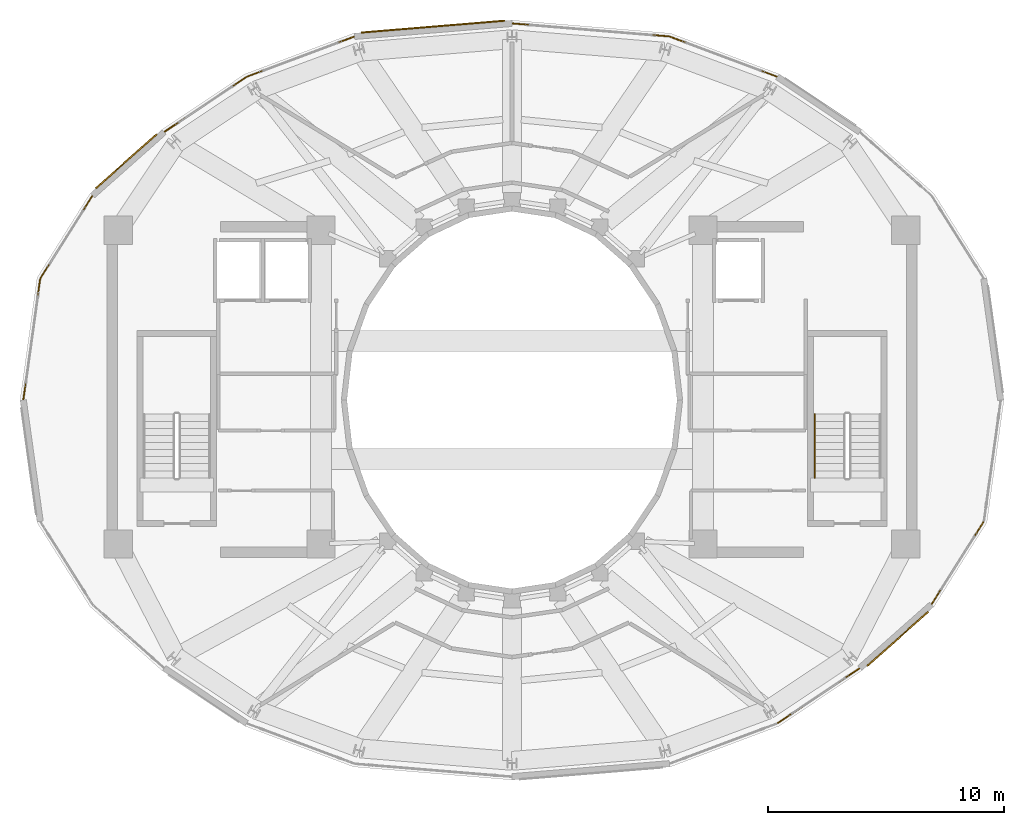
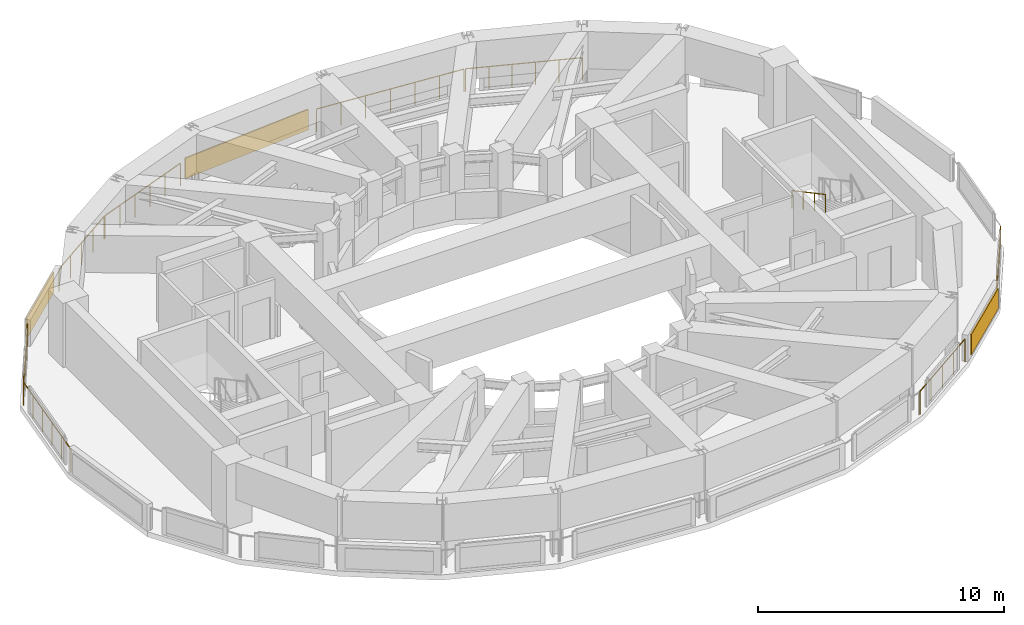
# One storey, part 17 of 18: 9 railings, 3 shading devices.
"""IFC4 building model written with IfcOpenShell, lengths in metres."""

from ifc_helpers import new_model, si_unit, direction, frame, origin, origin_2d, place, context, subcontext, project, spatial, rectangle, circle, extrude, material, layer, layer_set, type_object, element, save


model = new_model("IFC4")

# Units and contexts
model_context = context("Model", 3, precision=1e-05, world=origin(), true_north=direction((0.0, 1.0)))
body_context = subcontext(model_context, "Body", "Model", "MODEL_VIEW")
ifc_project = project(units=[si_unit("LENGTHUNIT", "METRE"), si_unit("AREAUNIT", "SQUARE_METRE"), si_unit("VOLUMEUNIT", "CUBIC_METRE"), si_unit("PLANEANGLEUNIT", "RADIAN"), si_unit("MASSUNIT", "GRAM", prefix="KILO")], contexts=[model_context])

# Site, building, storey
site_placement = place(None, origin())
site = spatial("IfcSite", under=ifc_project, at=site_placement, CompositionType="ELEMENT")
building_placement = place(site_placement, origin())
building = spatial("IfcBuilding", under=site, at=building_placement, Name="Solvane Sanctuary Tower", CompositionType="ELEMENT")
storey_placement = place(building_placement, frame((0.0, 0.0, 263.60009765625)))
storey = spatial("IfcBuildingStorey", under=building, at=storey_placement, Name="L80", CompositionType="ELEMENT", Elevation=263.60009765625)

# Railings
ifc_material_1 = material(Name="Architectural Stainless Steel 316", Category="steel")
railing_type_1 = type_object("IfcRailingType", Name="Railing GR-BALC-1150", PredefinedType="BALUSTRADE", material=ifc_material_1)
railing_1_placement = place(storey_placement, frame((43.222900390625, 36.715576171875, 0.0)))
element("IfcRailing", 1, at=railing_1_placement, inside=storey, type_object=railing_type_1, Name="L80 Crown Curtain-Wall Sill Guard 04", PredefinedType="BALUSTRADE", context=body_context, shape_type="SweptSolid", body=[
    extrude(circle(Radius=0.02392578125, at=origin_2d()), frame((0.0, 0.0, 1.1259765625), z_axis=(-0.936566011604, 0.350491235137, 0.0), x_axis=(-0.350491235137, -0.936566011604, 0.0)), (0.0, 0.0, 1.0), 4.8251953125),
    extrude(circle(Radius=0.02099609375, at=origin_2d()), origin(), (0.0, 0.0, 1.0), 1.101806640625),
    extrude(circle(Radius=0.02099609375, at=origin_2d()), frame((-0.90380859375, 0.338134765625, 0.0)), (0.0, 0.0, 1.0), 1.101806640625),
    extrude(circle(Radius=0.02099609375, at=origin_2d()), frame((-1.8076171875, 0.676513671875, 0.0)), (0.0, 0.0, 1.0), 1.101806640625),
    extrude(circle(Radius=0.02099609375, at=origin_2d()), frame((-2.71142578125, 1.0146484375, 0.0)), (0.0, 0.0, 1.0), 1.101806640625),
    extrude(circle(Radius=0.02099609375, at=origin_2d()), frame((-3.615234375, 1.35302734375, 0.0)), (0.0, 0.0, 1.0), 1.101806640625),
    extrude(circle(Radius=0.02099609375, at=origin_2d()), frame((-4.51904296875, 1.691162109375, 0.0)), (0.0, 0.0, 1.0), 1.101806640625),
])
railing_2_placement = place(storey_placement, frame((38.645751953125, 38.419921875, 0.0)))
element("IfcRailing", 2, at=railing_2_placement, inside=storey, type_object=railing_type_1, Name="L80 Crown Curtain-Wall Sill Guard 05", PredefinedType="BALUSTRADE", context=body_context, shape_type="SweptSolid", body=[
    extrude(circle(Radius=0.02392578125, at=origin_2d()), frame((0.0, 0.0, 1.1259765625), z_axis=(-0.996604098874, 0.082342395564, 0.0), x_axis=(-0.082342395564, -0.996604098874, 0.0)), (0.0, 0.0, 1.0), 6.638427734375),
    extrude(circle(Radius=0.02099609375, at=origin_2d()), origin(), (0.0, 0.0, 1.0), 1.101806640625),
    extrude(circle(Radius=0.02099609375, at=origin_2d()), frame((-1.1025390625, 0.091064453125, 0.0)), (0.0, 0.0, 1.0), 1.101806640625),
    extrude(circle(Radius=0.02099609375, at=origin_2d()), frame((-2.205322265625, 0.18212890625, 0.0)), (0.0, 0.0, 1.0), 1.101806640625),
    extrude(circle(Radius=0.02099609375, at=origin_2d()), frame((-3.30810546875, 0.2734375, 0.0)), (0.0, 0.0, 1.0), 1.101806640625),
    extrude(circle(Radius=0.02099609375, at=origin_2d()), frame((-4.41064453125, 0.364501953125, 0.0)), (0.0, 0.0, 1.0), 1.101806640625),
    extrude(circle(Radius=0.02099609375, at=origin_2d()), frame((-5.51318359375, 0.45556640625, 0.0)), (0.0, 0.0, 1.0), 1.101806640625),
    extrude(circle(Radius=0.02099609375, at=origin_2d()), frame((-6.615966796875, 0.546630859375, 0.0)), (0.0, 0.0, 1.0), 1.101806640625),
])
railing_3_placement = place(storey_placement, frame((25.296142578125, 38.40673828125, 0.0)))
element("IfcRailing", 3, at=railing_3_placement, inside=storey, type_object=railing_type_1, Name="L80 Crown Curtain-Wall Sill Guard 07", PredefinedType="BALUSTRADE", context=body_context, shape_type="SweptSolid", body=[
    extrude(circle(Radius=0.02392578125, at=origin_2d()), frame((0.0, 0.0, 1.1259765625), z_axis=(-0.936566011604, -0.350491235137, 0.0), x_axis=(0.350491235137, -0.936566011604, 0.0)), (0.0, 0.0, 1.0), 4.8251953125),
    extrude(circle(Radius=0.02099609375, at=origin_2d()), origin(), (0.0, 0.0, 1.0), 1.101806640625),
    extrude(circle(Radius=0.02099609375, at=origin_2d()), frame((-0.90380859375, -0.338134765625, 0.0)), (0.0, 0.0, 1.0), 1.101806640625),
    extrude(circle(Radius=0.02099609375, at=origin_2d()), frame((-1.8076171875, -0.676513671875, 0.0)), (0.0, 0.0, 1.0), 1.101806640625),
    extrude(circle(Radius=0.02099609375, at=origin_2d()), frame((-2.71142578125, -1.0146484375, 0.0)), (0.0, 0.0, 1.0), 1.101806640625),
    extrude(circle(Radius=0.02099609375, at=origin_2d()), frame((-3.615234375, -1.35302734375, 0.0)), (0.0, 0.0, 1.0), 1.101806640625),
    extrude(circle(Radius=0.02099609375, at=origin_2d()), frame((-4.51904296875, -1.691162109375, 0.0)), (0.0, 0.0, 1.0), 1.101806640625),
])
railing_4_placement = place(storey_placement, frame((20.72412109375, 36.688232421875, 0.0)))
element("IfcRailing", 4, at=railing_4_placement, inside=storey, type_object=railing_type_1, Name="L80 Crown Curtain-Wall Sill Guard 08", PredefinedType="BALUSTRADE", context=body_context, shape_type="SweptSolid", body=[
    extrude(circle(Radius=0.02392578125, at=origin_2d()), frame((0.0, 0.0, 1.1259765625), z_axis=(-0.831007061731, -0.556261865809, 0.0), x_axis=(0.556261865809, -0.831007061731, 0.0)), (0.0, 0.0, 1.0), 4.146240234375),
    extrude(circle(Radius=0.02099609375, at=origin_2d()), origin(), (0.0, 0.0, 1.0), 1.101806640625),
    extrude(circle(Radius=0.02099609375, at=origin_2d()), frame((-0.861328125, -0.57666015625, 0.0)), (0.0, 0.0, 1.0), 1.101806640625),
    extrude(circle(Radius=0.02099609375, at=origin_2d()), frame((-1.72265625, -1.1533203125, 0.0)), (0.0, 0.0, 1.0), 1.101806640625),
    extrude(circle(Radius=0.02099609375, at=origin_2d()), frame((-2.584228515625, -1.729736328125, 0.0)), (0.0, 0.0, 1.0), 1.101806640625),
    extrude(circle(Radius=0.02099609375, at=origin_2d()), frame((-3.445556640625, -2.306396484375, 0.0)), (0.0, 0.0, 1.0), 1.101806640625),
])
railing_5_placement = place(storey_placement, frame((14.201416015625, 31.64599609375, 0.0)))
element("IfcRailing", 5, at=railing_5_placement, inside=storey, type_object=railing_type_1, Name="L80 Crown Curtain-Wall Sill Guard 10", PredefinedType="BALUSTRADE", context=body_context, shape_type="SweptSolid", body=[
    extrude(circle(Radius=0.02392578125, at=origin_2d()), frame((0.0, 0.0, 1.1259765625), z_axis=(-0.533008723796, -0.846109744866, 0.0), x_axis=(0.846109744866, -0.533008723796, 0.0)), (0.0, 0.0, 1.0), 4.107666015625),
    extrude(circle(Radius=0.02099609375, at=origin_2d()), origin(), (0.0, 0.0, 1.0), 1.101806640625),
    extrude(circle(Radius=0.02099609375, at=origin_2d()), frame((-0.54736328125, -0.868896484375, 0.0)), (0.0, 0.0, 1.0), 1.101806640625),
    extrude(circle(Radius=0.02099609375, at=origin_2d()), frame((-1.0947265625, -1.73779296875, 0.0)), (0.0, 0.0, 1.0), 1.101806640625),
    extrude(circle(Radius=0.02099609375, at=origin_2d()), frame((-1.64208984375, -2.606689453125, 0.0)), (0.0, 0.0, 1.0), 1.101806640625),
    extrude(circle(Radius=0.02099609375, at=origin_2d()), frame((-2.189453125, -3.4755859375, 0.0)), (0.0, 0.0, 1.0), 1.101806640625),
])
railing_6_placement = place(storey_placement, frame((11.99169921875, 28.115234375, 0.0)))
element("IfcRailing", 6, at=railing_6_placement, inside=storey, type_object=railing_type_1, Name="L80 Crown Curtain-Wall Sill Guard 11", PredefinedType="BALUSTRADE", context=body_context, shape_type="SweptSolid", body=[
    extrude(circle(Radius=0.02392578125, at=origin_2d()), frame((0.0, 0.0, 1.1259765625), z_axis=(-0.137799024975, -0.990460210567, 0.0), x_axis=(0.990460210567, -0.137799024975, 0.0)), (0.0, 0.0, 1.0), 5.134521484375),
    extrude(circle(Radius=0.02099609375, at=origin_2d()), origin(), (0.0, 0.0, 1.0), 1.101806640625),
    extrude(circle(Radius=0.02099609375, at=origin_2d()), frame((-0.1416015625, -1.01708984375, 0.0)), (0.0, 0.0, 1.0), 1.101806640625),
    extrude(circle(Radius=0.02099609375, at=origin_2d()), frame((-0.282958984375, -2.0341796875, 0.0)), (0.0, 0.0, 1.0), 1.101806640625),
    extrude(circle(Radius=0.02099609375, at=origin_2d()), frame((-0.424560546875, -3.05126953125, 0.0)), (0.0, 0.0, 1.0), 1.101806640625),
    extrude(circle(Radius=0.02099609375, at=origin_2d()), frame((-0.56591796875, -4.068359375, 0.0)), (0.0, 0.0, 1.0), 1.101806640625),
    extrude(circle(Radius=0.02099609375, at=origin_2d()), frame((-0.70751953125, -5.08544921875, 0.0)), (0.0, 0.0, 1.0), 1.101806640625),
])
railing_7_placement = place(storey_placement, frame((43.27587890625, 9.311767578125, 0.0)))
element("IfcRailing", 7, at=railing_7_placement, inside=storey, type_object=railing_type_1, Name="L80 Crown Curtain-Wall Sill Guard 20", PredefinedType="BALUSTRADE", context=body_context, shape_type="SweptSolid", body=[
    extrude(circle(Radius=0.02392578125, at=origin_2d()), frame((0.0, 0.0, 1.1259765625), z_axis=(0.831007061731, 0.556261865809, 0.0), x_axis=(-0.556261865809, 0.831007061731, 0.0)), (0.0, 0.0, 1.0), 4.146240234375),
    extrude(circle(Radius=0.02099609375, at=origin_2d()), origin(), (0.0, 0.0, 1.0), 1.101806640625),
    extrude(circle(Radius=0.02099609375, at=origin_2d()), frame((0.861328125, 0.57666015625, 0.0)), (0.0, 0.0, 1.0), 1.101806640625),
    extrude(circle(Radius=0.02099609375, at=origin_2d()), frame((1.72265625, 1.1533203125, 0.0)), (0.0, 0.0, 1.0), 1.101806640625),
    extrude(circle(Radius=0.02099609375, at=origin_2d()), frame((2.584228515625, 1.729736328125, 0.0)), (0.0, 0.0, 1.0), 1.101806640625),
    extrude(circle(Radius=0.02099609375, at=origin_2d()), frame((3.445556640625, 2.306396484375, 0.0)), (0.0, 0.0, 1.0), 1.101806640625),
])
railing_8_placement = place(storey_placement, frame((49.798583984375, 14.35400390625, 0.0)))
element("IfcRailing", 8, at=railing_8_placement, inside=storey, type_object=railing_type_1, Name="L80 Crown Curtain-Wall Sill Guard 22", PredefinedType="BALUSTRADE", context=body_context, shape_type="SweptSolid", body=[
    extrude(circle(Radius=0.02392578125, at=origin_2d()), frame((0.0, 0.0, 1.1259765625), z_axis=(0.533008723796, 0.846109744866, 0.0), x_axis=(-0.846109744866, 0.533008723796, 0.0)), (0.0, 0.0, 1.0), 4.107666015625),
    extrude(circle(Radius=0.02099609375, at=origin_2d()), origin(), (0.0, 0.0, 1.0), 1.101806640625),
    extrude(circle(Radius=0.02099609375, at=origin_2d()), frame((0.54736328125, 0.868896484375, 0.0)), (0.0, 0.0, 1.0), 1.101806640625),
    extrude(circle(Radius=0.02099609375, at=origin_2d()), frame((1.0947265625, 1.73779296875, 0.0)), (0.0, 0.0, 1.0), 1.101806640625),
    extrude(circle(Radius=0.02099609375, at=origin_2d()), frame((1.64208984375, 2.606689453125, 0.0)), (0.0, 0.0, 1.0), 1.101806640625),
    extrude(circle(Radius=0.02099609375, at=origin_2d()), frame((2.189453125, 3.4755859375, 0.0)), (0.0, 0.0, 1.0), 1.101806640625),
])
railing_type_2 = type_object("IfcRailingType", Name="Railing HR-STAIR-920", PredefinedType="HANDRAIL", material=ifc_material_1)
railing_9_placement = place(storey_placement, frame((44.830078125, 22.39990234375, 1.760009765625)))
element("IfcRailing", 9, at=railing_9_placement, inside=storey, type_object=railing_type_2, Name="L80 ST-2 stair handrail 2", PredefinedType="HANDRAIL", context=body_context, shape_type="SweptSolid", body=[
    extrude(circle(Radius=0.02392578125, at=origin_2d()), frame((0.0, 0.0, 0.8759765625), z_axis=(0.0, -0.882357358376, 0.470579952952), x_axis=(1.0, 0.0, 0.0)), (0.0, 0.0, 1.0), 3.059814453125),
    extrude(circle(Radius=0.02099609375, at=origin_2d()), origin(), (0.0, 0.0, 1.0), 0.851806640625),
    extrude(circle(Radius=0.02099609375, at=origin_2d()), frame((0.0, -0.89990234375, 0.47998046875)), (0.0, 0.0, 1.0), 0.851806640625),
    extrude(circle(Radius=0.02099609375, at=origin_2d()), frame((0.0, -1.800048828125, 0.9599609375)), (0.0, 0.0, 1.0), 0.851806640625),
    extrude(circle(Radius=0.02099609375, at=origin_2d()), frame((0.0, -2.699951171875, 1.43994140625)), (0.0, 0.0, 1.0), 0.851806640625),
])

# Shading devices
ifc_material_2 = material(Name="Anodised Aluminium 6063-T6", Category="aluminium")
ifc_layer = layer(ifc_material_2, 0.06005859375, Name="Anodised Aluminium 6063-T6")
ifc_layer_set = layer_set([ifc_layer], Name="Anodised Aluminium 6063-T6")
shading_device_type = type_object("IfcShadingDeviceType", Name="Shading SHD-LOUVRE", PredefinedType="JALOUSIE", material=ifc_layer_set)
shading_device_placement = place(storey_placement, frame((28.650634765625, 38.832763671875, 0.14990234375), z_axis=(0.0, 0.0, 1.0), x_axis=(-0.996602402085, -0.082362929521, 0.0)))
element("IfcShadingDevice", 10, at=shading_device_placement, inside=storey, type_object=shading_device_type, Name="L80 Crown Storm Louvre Panel 06", PredefinedType="JALOUSIE", context=body_context, shape_type="SweptSolid", body=[
    extrude(rectangle(XDim=6.098388671875, YDim=0.06005859375, at=origin_2d()), origin(), (0.0, 0.0, 1.0), 1.02001953125),
])
for number, where, z_axis, x_axis, name in (
    (11, (15.642578125, 33.122802734375, 0.14990234375), (0.0, 0.0, 1.0), (-0.748014740626, -0.663682113519, 0.0), "L80 Crown Storm Louvre Panel 09"),
    (12, (48.357421875, 12.877197265625, 0.14990234375), (0.0, 0.0, 1.0), (0.748014740626, 0.663682113519, 0.0), "L80 Crown Storm Louvre Panel 21"),
):
    element("IfcShadingDevice", number, at=place(storey_placement, frame(where, z_axis=z_axis, x_axis=x_axis)), inside=storey, type_object=shading_device_type, Name=name, PredefinedType="JALOUSIE", context=body_context, shape_type="SweptSolid", body=[
        extrude(rectangle(XDim=3.458984375, YDim=0.06005859375, at=origin_2d()), origin(), (0.0, 0.0, 1.0), 1.02001953125),
    ])

save(model, "model.ifc")
